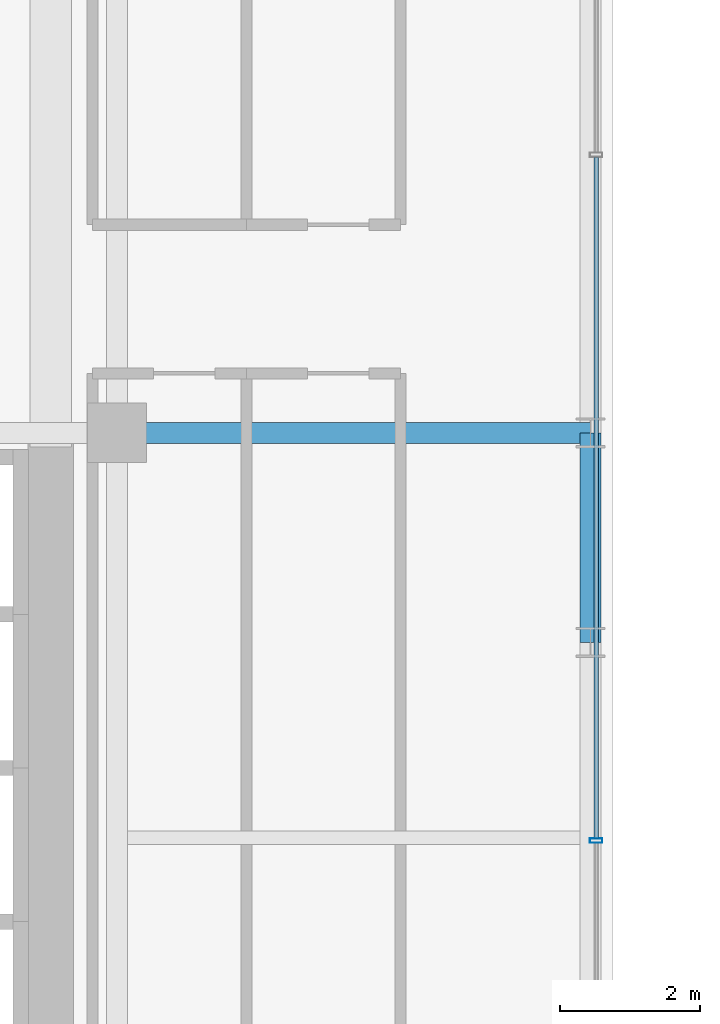
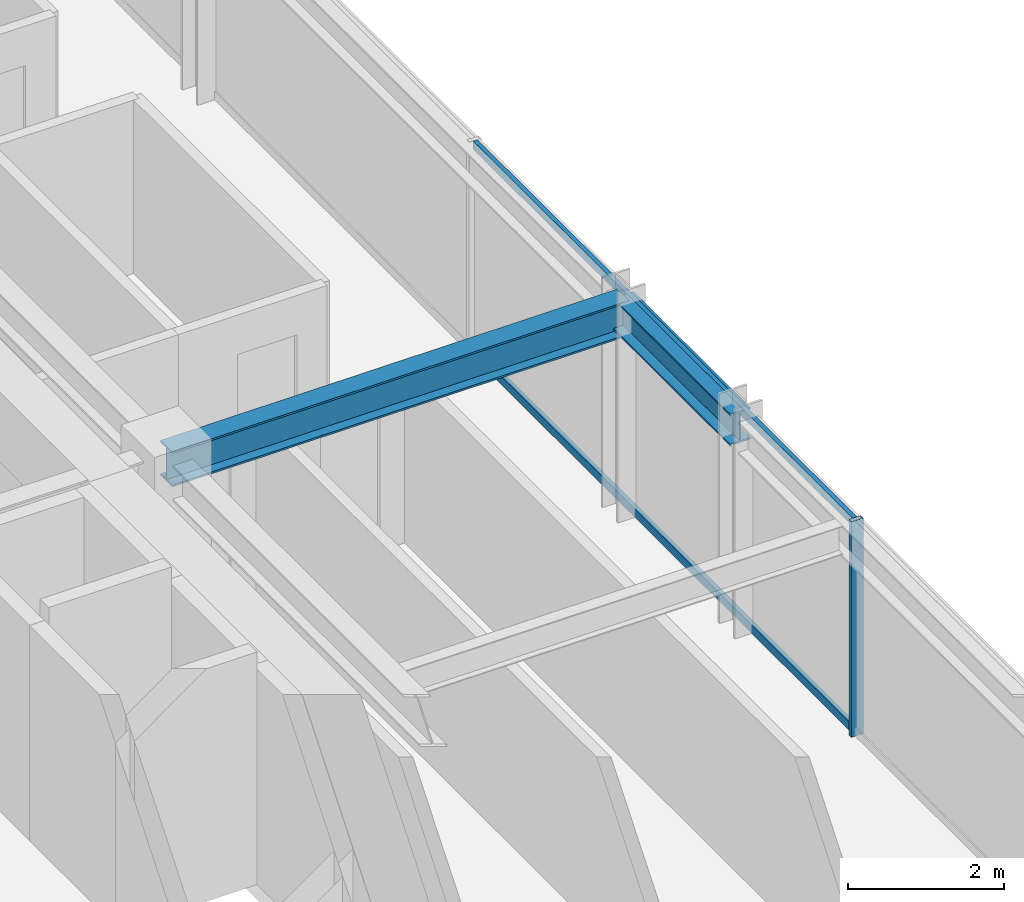
# One storey, part 14 of 33: 3 members, 2 beams, 1 element without a shape of its own.
"""IFC4 building model written with IfcOpenShell, lengths in metres."""

from ifc_helpers import new_model, si_unit, direction, frame, origin, origin_2d, place, context, subcontext, project, spatial, hollow_rectangle, i_section, extrude, source, transform, mapped, material, material_profile, profile_set, type_object, element, aggregate, save


model = new_model("IFC4")

# Units and contexts
model_context = context("Model", 3, precision=1e-05, world=origin(), true_north=direction((0.0, 1.0)))
body_context = subcontext(model_context, "Body", "Model", "MODEL_VIEW")
ifc_project = project(units=[si_unit("LENGTHUNIT", "METRE"), si_unit("AREAUNIT", "SQUARE_METRE"), si_unit("VOLUMEUNIT", "CUBIC_METRE"), si_unit("PLANEANGLEUNIT", "RADIAN"), si_unit("MASSUNIT", "GRAM", prefix="KILO")], contexts=[model_context])

# Site, building, storey
site_placement = place(None, origin())
site = spatial("IfcSite", under=ifc_project, at=site_placement, CompositionType="ELEMENT")
building_placement = place(site_placement, origin())
building = spatial("IfcBuilding", under=site, at=building_placement, Name="Nahalor Promenade Grand Hotel", CompositionType="ELEMENT")
storey_placement = place(building_placement, frame((0.0, 0.0, 117.5)))
storey = spatial("IfcBuildingStorey", under=building, at=storey_placement, Name="L29", CompositionType="ELEMENT", Elevation=117.5)

# Beams
ifc_material_1 = material(Name="Steel S355JR", Category="steel")
ifc_material_profile_1 = material_profile(ifc_material_1, i_section(OverallWidth=0.3, OverallDepth=0.5, WebThickness=0.0145, FlangeThickness=0.028, at=origin_2d()), Name="HEB 500")
ifc_profile_set_1 = profile_set([ifc_material_profile_1], Name="Steel S355JR")
beam_type_1 = type_object("IfcBeamType", Name="Beam-Spandrel-HEB500", PredefinedType="SPANDREL", material=ifc_profile_set_1)
shared_shape_1 = source(origin(), body_context, "Body", "SweptSolid", [
    extrude(i_section(OverallWidth=0.3, OverallDepth=0.5, WebThickness=0.0145, FlangeThickness=0.028, at=origin_2d()), origin(), (0.0, 0.0, 1.0), 3.0),
])
beam_1_placement = place(storey_placement, frame((23.780029296875, -8.39990234375, 3.1298828125), z_axis=(0.0, 1.0, 0.0), x_axis=(-1.0, 0.0, 0.0)))
element("IfcBeam", 1, at=beam_1_placement, inside=storey, type_object=beam_type_1, Name="BM-L29-SP-E-1", PredefinedType="SPANDREL", context=body_context, shape_type="MappedRepresentation", body=[
    mapped(shared_shape_1, transform((0.0, 0.0, 0.0), scale=1.0)),
])
ifc_material_profile_2 = material_profile(ifc_material_1, i_section(OverallWidth=0.3, OverallDepth=0.55, WebThickness=0.015, FlangeThickness=0.029, at=origin_2d()), Name="HEB 550")
ifc_profile_set_2 = profile_set([ifc_material_profile_2], Name="Steel S355JR")
beam_type_2 = type_object("IfcBeamType", Name="Beam-Girder-HEB550", PredefinedType="BEAM", material=ifc_profile_set_2)
shared_shape_2 = source(origin(), body_context, "Body", "SweptSolid", [
    extrude(i_section(OverallWidth=0.3, OverallDepth=0.55, WebThickness=0.015, FlangeThickness=0.029, at=origin_2d()), origin(), (0.0, 0.0, 1.0), 6.780029296875),
])
beam_2_placement = place(storey_placement, frame((17.0, -5.39990234375, 3.10498046875), z_axis=(1.0, 0.0, 0.0), x_axis=(0.0, 1.0, 0.0)))
element("IfcBeam", 2, at=beam_2_placement, inside=storey, type_object=beam_type_2, Name="BM-L29-GX-1-6", PredefinedType="BEAM", context=body_context, shape_type="MappedRepresentation", body=[
    mapped(shared_shape_2, transform((0.0, 0.0, 0.0), scale=1.0)),
])

# Curtain wall, members
ifc_material_2 = material(Name="Anodised Bronze Aluminium EN AW-6063 T6", Category="aluminium")
curtain_wall_type = type_object("IfcCurtainWallType", Name="CW2 Typical Hotel Flush Bronze Unitised Curtain Wall", PredefinedType="USERDEFINED", material=ifc_material_2)
curtain_wall_placement = place(storey_placement, origin())
curtain_wall = element("IfcCurtainWall", 3, at=curtain_wall_placement, inside=storey, type_object=curtain_wall_type, Name="L29 Curtain Wall CW-L29-E-1", ObjectType="UNITISED_CURTAIN_WALL", PredefinedType="USERDEFINED")
ifc_material_profile_3 = material_profile(ifc_material_2, hollow_rectangle(XDim=0.065, YDim=0.18, WallThickness=0.004, at=origin_2d()), Name="CWM 65x180x4")
ifc_profile_set_3 = profile_set([ifc_material_profile_3], Name="Anodised Bronze Aluminium EN AW-6063 T6")
member_type_1 = type_object("IfcMemberType", Name="CWM2 Typical Bronze Mullion 65x180", PredefinedType="MULLION", material=ifc_profile_set_3)
shared_shape_3 = source(origin(), body_context, "Body", "SweptSolid", [
    extrude(hollow_rectangle(XDim=0.065, YDim=0.18, WallThickness=0.004, at=origin_2d()), origin(), (0.0, 0.0, 1.0), 3.3798828125),
])
member_1_placement = place(storey_placement, frame((23.860107421875, -11.239990234375, 0.0), z_axis=(0.0, 0.0, 1.0), x_axis=(0.0, 1.0, 0.0)))
member_1 = element("IfcMember", 4, at=member_1_placement, type_object=member_type_1, Name="CW-L29-E-1 Mullion 1", PredefinedType="MULLION", context=body_context, shape_type="MappedRepresentation", body=[
    mapped(shared_shape_3, transform((0.0, 0.0, 0.0), scale=1.0)),
])
ifc_material_profile_4 = material_profile(ifc_material_2, hollow_rectangle(XDim=0.065, YDim=0.13, WallThickness=0.004, at=origin_2d()), Name="CWT 65x130x4")
ifc_profile_set_4 = profile_set([ifc_material_profile_4], Name="Anodised Bronze Aluminium EN AW-6063 T6")
member_type_2 = type_object("IfcMemberType", Name="CWT2 Typical Bronze Transom 65x130", PredefinedType="USERDEFINED", material=ifc_profile_set_4)
shared_shape_4 = source(origin(), body_context, "Body", "SweptSolid", [
    extrude(hollow_rectangle(XDim=0.065, YDim=0.13, WallThickness=0.004, at=origin_2d()), origin(), (0.0, 0.0, 1.0), 9.755126953125),
])
member_2_placement = place(storey_placement, frame((23.860107421875, -11.20751953125, 0.06494140625), z_axis=(0.0, 1.0, 0.0), x_axis=(-1.0, 0.0, 0.0)))
member_2 = element("IfcMember", 5, at=member_2_placement, type_object=member_type_2, Name="CW-L29-E-1 Transom 1-0", ObjectType="TRANSOM", PredefinedType="USERDEFINED", context=body_context, shape_type="MappedRepresentation", body=[
    mapped(shared_shape_4, transform((0.0, 0.0, 0.0), scale=1.0)),
])
member_3_placement = place(storey_placement, frame((23.860107421875, -11.20751953125, 3.31494140625), z_axis=(0.0, 1.0, 0.0), x_axis=(-1.0, 0.0, 0.0)))
member_3 = element("IfcMember", 6, at=member_3_placement, type_object=member_type_2, Name="CW-L29-E-1 Transom 1-1", ObjectType="TRANSOM", PredefinedType="USERDEFINED", context=body_context, shape_type="MappedRepresentation", body=[
    mapped(shared_shape_4, transform((0.0, 0.0, 0.0), scale=1.0)),
])
aggregate(curtain_wall, [member_1, member_2, member_3])

save(model, "model.ifc")
